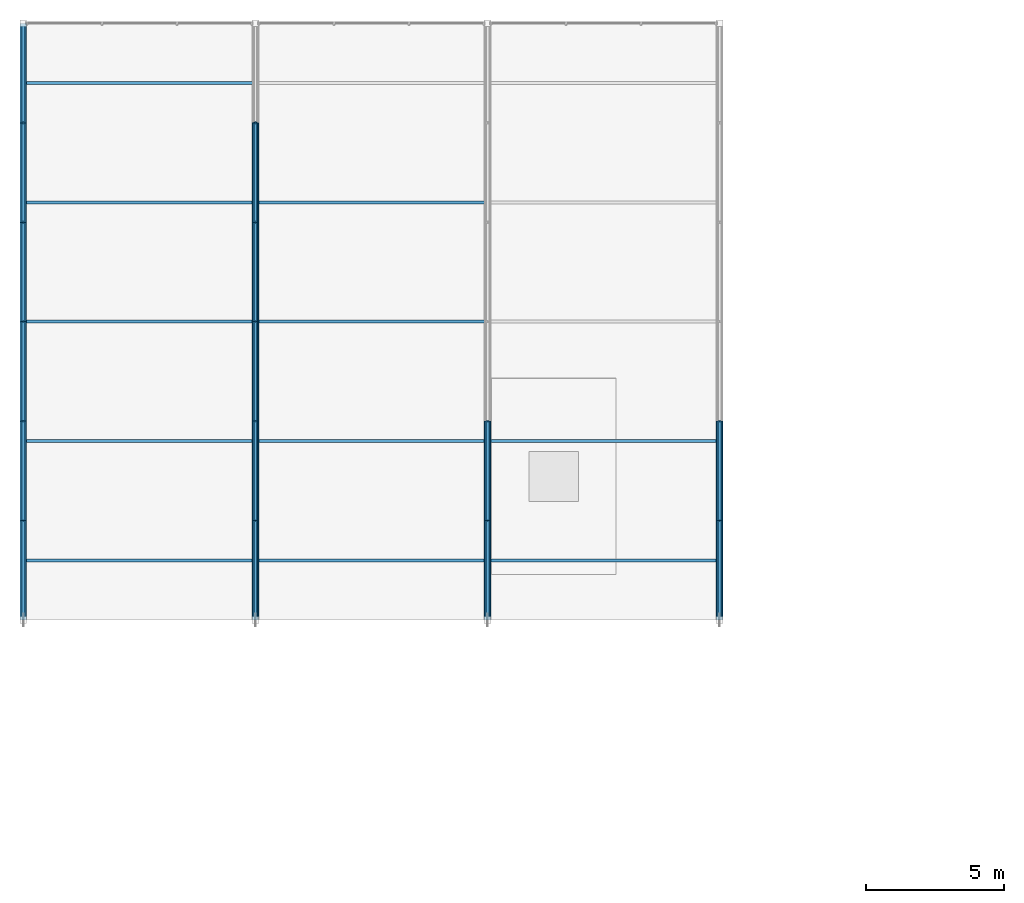
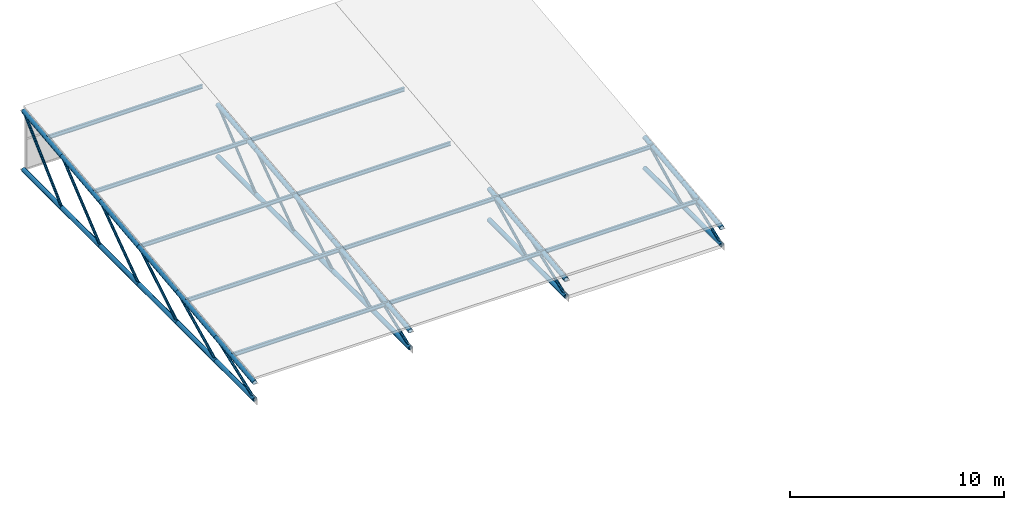
# One storey, part 49 of 77: 45 members, 11 beams.
"""IFC4 building model written with IfcOpenShell, lengths in metres."""

from ifc_helpers import new_model, si_unit, derived_unit, direction, frame, origin, origin_2d, place, context, subcontext, project, spatial, hollow_circle, i_section, extrude, material, material_profile, profile_set, type_object, element, save


model = new_model("IFC4")

# Units and contexts
model_context = context("Model", 3, precision=1e-05, world=origin(), true_north=direction((0.0, 1.0)))
body_context = subcontext(model_context, "Body", "Model", "MODEL_VIEW")
ifc_project = project(units=[si_unit("LENGTHUNIT", "METRE"), si_unit("AREAUNIT", "SQUARE_METRE"), si_unit("VOLUMEUNIT", "CUBIC_METRE"), si_unit("PLANEANGLEUNIT", "RADIAN"), si_unit("MASSUNIT", "GRAM", prefix="KILO"), derived_unit("THERMALTRANSMITTANCEUNIT", [(si_unit("MASSUNIT", "GRAM", prefix="KILO"), 1), (si_unit("TIMEUNIT", "SECOND"), -3), (si_unit("THERMODYNAMICTEMPERATUREUNIT", "KELVIN"), -1)])], contexts=[model_context])

# Site, building, storey
site_placement = place(None, origin())
site = spatial("IfcSite", under=ifc_project, at=site_placement, CompositionType="ELEMENT")
building_placement = place(site_placement, origin())
building = spatial("IfcBuilding", under=site, at=building_placement, Name="Kharveza Railside Sports Centre", CompositionType="ELEMENT")
storey_placement = place(building_placement, frame((0.0, 0.0, 17.10009765625)))
storey = spatial("IfcBuildingStorey", under=building, at=storey_placement, Name="L04", CompositionType="ELEMENT", Elevation=17.10009765625)

# Beams
ifc_material_1 = material(Name="Steel S275JR", Category="steel")
ifc_material_profile_1 = material_profile(ifc_material_1, i_section(OverallWidth=0.110107421875, OverallDepth=0.219970703125, WebThickness=0.005859375, FlangeThickness=0.00927734375, FilletRadius=0.011962890625, at=origin_2d()), Name="IPE 220")
ifc_profile_set_1 = profile_set([ifc_material_profile_1], Name="Steel S275JR")
beam_type = type_object("IfcBeamType", Name="BM-J02", PredefinedType="JOIST", material=ifc_profile_set_1)
for number, where, z_axis, x_axis, name in (
    (1, (0.0, 88.56005859375, 1.21484375), (1.0, 0.0, 0.0), (0.0, 1.0, 0.0), "BM-V3PUR-1-1"),
    (2, (0.0, 92.8798828125, 1.69482421875), (1.0, 0.0, 0.0), (0.0, 1.0, 0.0), "BM-V3PUR-1-2"),
    (3, (0.0, 97.199951171875, 2.1748046875), (1.0, 0.0, 0.0), (0.0, 1.0, 0.0), "BM-V3PUR-1-3"),
    (4, (0.0, 101.52001953125, 2.65478515625), (1.0, 0.0, 0.0), (0.0, 1.0, 0.0), "BM-V3PUR-1-4"),
    (5, (0.0, 105.840087890625, 3.135009765625), (1.0, 0.0, 0.0), (0.0, 1.0, 0.0), "BM-V3PUR-1-5"),
):
    element("IfcBeam", number, at=place(storey_placement, frame(where, z_axis=z_axis, x_axis=x_axis)), inside=storey, type_object=beam_type, Name=name, PredefinedType="JOIST", context=body_context, shape_type="SweptSolid", body=[
        extrude(i_section(OverallWidth=0.110107421875, OverallDepth=0.219970703125, WebThickness=0.005859375, FlangeThickness=0.00927734375, FilletRadius=0.011962890625, at=origin_2d()), origin(), (0.0, 0.0, 1.0), 8.39990234375),
    ])
for number, where, z_axis, x_axis, name in (
    (6, (8.39990234375, 88.56005859375, 1.21484375), (1.0, 0.0, 0.0), (0.0, 1.0, 0.0), "BM-V3PUR-2-1"),
    (7, (8.39990234375, 92.8798828125, 1.69482421875), (1.0, 0.0, 0.0), (0.0, 1.0, 0.0), "BM-V3PUR-2-2"),
    (8, (8.39990234375, 97.199951171875, 2.1748046875), (1.0, 0.0, 0.0), (0.0, 1.0, 0.0), "BM-V3PUR-2-3"),
    (9, (8.39990234375, 101.52001953125, 2.65478515625), (1.0, 0.0, 0.0), (0.0, 1.0, 0.0), "BM-V3PUR-2-4"),
):
    element("IfcBeam", number, at=place(storey_placement, frame(where, z_axis=z_axis, x_axis=x_axis)), inside=storey, type_object=beam_type, Name=name, PredefinedType="JOIST", context=body_context, shape_type="SweptSolid", body=[
        extrude(i_section(OverallWidth=0.110107421875, OverallDepth=0.219970703125, WebThickness=0.005859375, FlangeThickness=0.00927734375, FilletRadius=0.011962890625, at=origin_2d()), origin(), (0.0, 0.0, 1.0), 8.400146484375),
    ])
for number, where, z_axis, x_axis, name in (
    (10, (16.800048828125, 88.56005859375, 1.21484375), (1.0, 0.0, 0.0), (0.0, 1.0, 0.0), "BM-V3PUR-3-1"),
    (11, (16.800048828125, 92.8798828125, 1.69482421875), (1.0, 0.0, 0.0), (0.0, 1.0, 0.0), "BM-V3PUR-3-2"),
):
    element("IfcBeam", number, at=place(storey_placement, frame(where, z_axis=z_axis, x_axis=x_axis)), inside=storey, type_object=beam_type, Name=name, PredefinedType="JOIST", context=body_context, shape_type="SweptSolid", body=[
        extrude(i_section(OverallWidth=0.110107421875, OverallDepth=0.219970703125, WebThickness=0.005859375, FlangeThickness=0.00927734375, FilletRadius=0.011962890625, at=origin_2d()), origin(), (0.0, 0.0, 1.0), 8.39990234375),
    ])

# Members
ifc_material_2 = material(Name="Steel S355J2", Category="steel")
ifc_material_profile_2 = material_profile(ifc_material_2, hollow_circle(Radius=0.122314453125, WallThickness=0.012451171875, at=origin_2d()), Name="CHS 244.5x12.5")
ifc_profile_set_2 = profile_set([ifc_material_profile_2], Name="Steel S355J2")
member_type_1 = type_object("IfcMemberType", Name="MB-CH04", PredefinedType="CHORD", material=ifc_profile_set_2)
member_1_placement = place(storey_placement, frame((0.0, 86.39990234375, 0.0), z_axis=(0.0, 1.0, 0.0), x_axis=(-1.0, 0.0, 0.0)))
element("IfcMember", 12, at=member_1_placement, inside=storey, type_object=member_type_1, Name="MB-V3TR-BC-1-1", PredefinedType="CHORD", context=body_context, shape_type="SweptSolid", body=[
    extrude(hollow_circle(Radius=0.122314453125, WallThickness=0.012451171875, at=origin_2d()), origin(), (0.0, 0.0, 1.0), 3.60009765625),
])
member_2_placement = place(storey_placement, frame((0.0, 86.39990234375, 0.9599609375), z_axis=(0.0, 0.99388702206, 0.110401935585), x_axis=(-1.0, 0.0, 0.0)))
element("IfcMember", 13, at=member_2_placement, inside=storey, type_object=member_type_1, Name="MB-V3TR-TC-1-1", PredefinedType="CHORD", context=body_context, shape_type="SweptSolid", body=[
    extrude(hollow_circle(Radius=0.122314453125, WallThickness=0.012451171875, at=origin_2d()), origin(), (0.0, 0.0, 1.0), 3.622314453125),
])
member_3_placement = place(storey_placement, frame((0.0, 90.0, 0.0), z_axis=(0.0, 1.0, 0.0), x_axis=(-1.0, 0.0, 0.0)))
element("IfcMember", 14, at=member_3_placement, inside=storey, type_object=member_type_1, Name="MB-V3TR-BC-1-2", PredefinedType="CHORD", context=body_context, shape_type="SweptSolid", body=[
    extrude(hollow_circle(Radius=0.122314453125, WallThickness=0.012451171875, at=origin_2d()), origin(), (0.0, 0.0, 1.0), 3.60009765625),
])
member_4_placement = place(storey_placement, frame((0.0, 90.0, 1.35986328125), z_axis=(0.0, 0.993879624232, 0.110468513774), x_axis=(-1.0, 0.0, 0.0)))
element("IfcMember", 15, at=member_4_placement, inside=storey, type_object=member_type_1, Name="MB-V3TR-TC-1-2", PredefinedType="CHORD", context=body_context, shape_type="SweptSolid", body=[
    extrude(hollow_circle(Radius=0.122314453125, WallThickness=0.012451171875, at=origin_2d()), origin(), (0.0, 0.0, 1.0), 3.622314453125),
])
member_5_placement = place(storey_placement, frame((0.0, 93.60009765625, 0.0), z_axis=(0.0, 1.0, 0.0), x_axis=(-1.0, 0.0, 0.0)))
element("IfcMember", 16, at=member_5_placement, inside=storey, type_object=member_type_1, Name="MB-V3TR-BC-1-3", PredefinedType="CHORD", context=body_context, shape_type="SweptSolid", body=[
    extrude(hollow_circle(Radius=0.122314453125, WallThickness=0.012451171875, at=origin_2d()), origin(), (0.0, 0.0, 1.0), 3.599853515625),
])
member_6_placement = place(storey_placement, frame((0.0, 93.60009765625, 1.760009765625), z_axis=(0.0, 0.993886200461, 0.11040933173), x_axis=(-1.0, 0.0, 0.0)))
element("IfcMember", 17, at=member_6_placement, inside=storey, type_object=member_type_1, Name="MB-V3TR-TC-1-3", PredefinedType="CHORD", context=body_context, shape_type="SweptSolid", body=[
    extrude(hollow_circle(Radius=0.122314453125, WallThickness=0.012451171875, at=origin_2d()), origin(), (0.0, 0.0, 1.0), 3.6220703125),
])
member_7_placement = place(storey_placement, frame((0.0, 97.199951171875, 0.0), z_axis=(0.0, 1.0, 0.0), x_axis=(-1.0, 0.0, 0.0)))
element("IfcMember", 18, at=member_7_placement, inside=storey, type_object=member_type_1, Name="MB-V3TR-BC-1-4", PredefinedType="CHORD", context=body_context, shape_type="SweptSolid", body=[
    extrude(hollow_circle(Radius=0.122314453125, WallThickness=0.012451171875, at=origin_2d()), origin(), (0.0, 0.0, 1.0), 3.60009765625),
])
member_8_placement = place(storey_placement, frame((0.0, 97.199951171875, 2.159912109375), z_axis=(0.0, 0.99388702206, 0.110401935585), x_axis=(-1.0, 0.0, 0.0)))
element("IfcMember", 19, at=member_8_placement, inside=storey, type_object=member_type_1, Name="MB-V3TR-TC-1-4", PredefinedType="CHORD", context=body_context, shape_type="SweptSolid", body=[
    extrude(hollow_circle(Radius=0.122314453125, WallThickness=0.012451171875, at=origin_2d()), origin(), (0.0, 0.0, 1.0), 3.622314453125),
])
member_9_placement = place(storey_placement, frame((0.0, 100.800048828125, 0.0), z_axis=(0.0, 1.0, 0.0), x_axis=(-1.0, 0.0, 0.0)))
element("IfcMember", 20, at=member_9_placement, inside=storey, type_object=member_type_1, Name="MB-V3TR-BC-1-5", PredefinedType="CHORD", context=body_context, shape_type="SweptSolid", body=[
    extrude(hollow_circle(Radius=0.122314453125, WallThickness=0.012451171875, at=origin_2d()), origin(), (0.0, 0.0, 1.0), 3.599853515625),
])
member_10_placement = place(storey_placement, frame((0.0, 100.800048828125, 2.559814453125), z_axis=(0.0, 0.993878801649, 0.110475914269), x_axis=(-1.0, 0.0, 0.0)))
element("IfcMember", 21, at=member_10_placement, inside=storey, type_object=member_type_1, Name="MB-V3TR-TC-1-5", PredefinedType="CHORD", context=body_context, shape_type="SweptSolid", body=[
    extrude(hollow_circle(Radius=0.122314453125, WallThickness=0.012451171875, at=origin_2d()), origin(), (0.0, 0.0, 1.0), 3.6220703125),
])
member_11_placement = place(storey_placement, frame((0.0, 104.39990234375, 0.0), z_axis=(0.0, 1.0, 0.0), x_axis=(-1.0, 0.0, 0.0)))
element("IfcMember", 22, at=member_11_placement, inside=storey, type_object=member_type_1, Name="MB-V3TR-BC-1-6", PredefinedType="CHORD", context=body_context, shape_type="SweptSolid", body=[
    extrude(hollow_circle(Radius=0.122314453125, WallThickness=0.012451171875, at=origin_2d()), origin(), (0.0, 0.0, 1.0), 3.60009765625),
])
member_12_placement = place(storey_placement, frame((0.0, 104.39990234375, 2.9599609375), z_axis=(0.0, 0.99388702206, 0.110401935585), x_axis=(-1.0, 0.0, 0.0)))
element("IfcMember", 23, at=member_12_placement, inside=storey, type_object=member_type_1, Name="MB-V3TR-TC-1-6", PredefinedType="CHORD", context=body_context, shape_type="SweptSolid", body=[
    extrude(hollow_circle(Radius=0.122314453125, WallThickness=0.012451171875, at=origin_2d()), origin(), (0.0, 0.0, 1.0), 3.622314453125),
])
member_13_placement = place(storey_placement, frame((8.39990234375, 86.39990234375, 0.0), z_axis=(0.0, 1.0, 0.0), x_axis=(-1.0, 0.0, 0.0)))
element("IfcMember", 24, at=member_13_placement, inside=storey, type_object=member_type_1, Name="MB-V3TR-BC-2-1", PredefinedType="CHORD", context=body_context, shape_type="SweptSolid", body=[
    extrude(hollow_circle(Radius=0.122314453125, WallThickness=0.012451171875, at=origin_2d()), origin(), (0.0, 0.0, 1.0), 3.60009765625),
])
member_14_placement = place(storey_placement, frame((8.39990234375, 86.39990234375, 0.9599609375), z_axis=(0.0, 0.99388702206, 0.110401935585), x_axis=(-1.0, 0.0, 0.0)))
element("IfcMember", 25, at=member_14_placement, inside=storey, type_object=member_type_1, Name="MB-V3TR-TC-2-1", PredefinedType="CHORD", context=body_context, shape_type="SweptSolid", body=[
    extrude(hollow_circle(Radius=0.122314453125, WallThickness=0.012451171875, at=origin_2d()), origin(), (0.0, 0.0, 1.0), 3.622314453125),
])
member_15_placement = place(storey_placement, frame((8.39990234375, 90.0, 0.0), z_axis=(0.0, 1.0, 0.0), x_axis=(-1.0, 0.0, 0.0)))
element("IfcMember", 26, at=member_15_placement, inside=storey, type_object=member_type_1, Name="MB-V3TR-BC-2-2", PredefinedType="CHORD", context=body_context, shape_type="SweptSolid", body=[
    extrude(hollow_circle(Radius=0.122314453125, WallThickness=0.012451171875, at=origin_2d()), origin(), (0.0, 0.0, 1.0), 3.60009765625),
])
member_16_placement = place(storey_placement, frame((8.39990234375, 90.0, 1.35986328125), z_axis=(0.0, 0.993879624232, 0.110468513774), x_axis=(-1.0, 0.0, 0.0)))
element("IfcMember", 27, at=member_16_placement, inside=storey, type_object=member_type_1, Name="MB-V3TR-TC-2-2", PredefinedType="CHORD", context=body_context, shape_type="SweptSolid", body=[
    extrude(hollow_circle(Radius=0.122314453125, WallThickness=0.012451171875, at=origin_2d()), origin(), (0.0, 0.0, 1.0), 3.622314453125),
])
member_17_placement = place(storey_placement, frame((8.39990234375, 93.60009765625, 0.0), z_axis=(0.0, 1.0, 0.0), x_axis=(-1.0, 0.0, 0.0)))
element("IfcMember", 28, at=member_17_placement, inside=storey, type_object=member_type_1, Name="MB-V3TR-BC-2-3", PredefinedType="CHORD", context=body_context, shape_type="SweptSolid", body=[
    extrude(hollow_circle(Radius=0.122314453125, WallThickness=0.012451171875, at=origin_2d()), origin(), (0.0, 0.0, 1.0), 3.599853515625),
])
member_18_placement = place(storey_placement, frame((8.39990234375, 93.60009765625, 1.760009765625), z_axis=(0.0, 0.993886200461, 0.11040933173), x_axis=(-1.0, 0.0, 0.0)))
element("IfcMember", 29, at=member_18_placement, inside=storey, type_object=member_type_1, Name="MB-V3TR-TC-2-3", PredefinedType="CHORD", context=body_context, shape_type="SweptSolid", body=[
    extrude(hollow_circle(Radius=0.122314453125, WallThickness=0.012451171875, at=origin_2d()), origin(), (0.0, 0.0, 1.0), 3.6220703125),
])
member_19_placement = place(storey_placement, frame((8.39990234375, 97.199951171875, 0.0), z_axis=(0.0, 1.0, 0.0), x_axis=(-1.0, 0.0, 0.0)))
element("IfcMember", 30, at=member_19_placement, inside=storey, type_object=member_type_1, Name="MB-V3TR-BC-2-4", PredefinedType="CHORD", context=body_context, shape_type="SweptSolid", body=[
    extrude(hollow_circle(Radius=0.122314453125, WallThickness=0.012451171875, at=origin_2d()), origin(), (0.0, 0.0, 1.0), 3.60009765625),
])
member_20_placement = place(storey_placement, frame((8.39990234375, 97.199951171875, 2.159912109375), z_axis=(0.0, 0.99388702206, 0.110401935585), x_axis=(-1.0, 0.0, 0.0)))
element("IfcMember", 31, at=member_20_placement, inside=storey, type_object=member_type_1, Name="MB-V3TR-TC-2-4", PredefinedType="CHORD", context=body_context, shape_type="SweptSolid", body=[
    extrude(hollow_circle(Radius=0.122314453125, WallThickness=0.012451171875, at=origin_2d()), origin(), (0.0, 0.0, 1.0), 3.622314453125),
])
member_21_placement = place(storey_placement, frame((8.39990234375, 100.800048828125, 0.0), z_axis=(0.0, 1.0, 0.0), x_axis=(-1.0, 0.0, 0.0)))
element("IfcMember", 32, at=member_21_placement, inside=storey, type_object=member_type_1, Name="MB-V3TR-BC-2-5", PredefinedType="CHORD", context=body_context, shape_type="SweptSolid", body=[
    extrude(hollow_circle(Radius=0.122314453125, WallThickness=0.012451171875, at=origin_2d()), origin(), (0.0, 0.0, 1.0), 3.599853515625),
])
member_22_placement = place(storey_placement, frame((8.39990234375, 100.800048828125, 2.559814453125), z_axis=(0.0, 0.993878801649, 0.110475914269), x_axis=(-1.0, 0.0, 0.0)))
element("IfcMember", 33, at=member_22_placement, inside=storey, type_object=member_type_1, Name="MB-V3TR-TC-2-5", PredefinedType="CHORD", context=body_context, shape_type="SweptSolid", body=[
    extrude(hollow_circle(Radius=0.122314453125, WallThickness=0.012451171875, at=origin_2d()), origin(), (0.0, 0.0, 1.0), 3.6220703125),
])
member_23_placement = place(storey_placement, frame((16.800048828125, 86.39990234375, 0.0), z_axis=(0.0, 1.0, 0.0), x_axis=(-1.0, 0.0, 0.0)))
element("IfcMember", 34, at=member_23_placement, inside=storey, type_object=member_type_1, Name="MB-V3TR-BC-3-1", PredefinedType="CHORD", context=body_context, shape_type="SweptSolid", body=[
    extrude(hollow_circle(Radius=0.122314453125, WallThickness=0.012451171875, at=origin_2d()), origin(), (0.0, 0.0, 1.0), 3.60009765625),
])
member_24_placement = place(storey_placement, frame((16.800048828125, 86.39990234375, 0.9599609375), z_axis=(0.0, 0.99388702206, 0.110401935585), x_axis=(-1.0, 0.0, 0.0)))
element("IfcMember", 35, at=member_24_placement, inside=storey, type_object=member_type_1, Name="MB-V3TR-TC-3-1", PredefinedType="CHORD", context=body_context, shape_type="SweptSolid", body=[
    extrude(hollow_circle(Radius=0.122314453125, WallThickness=0.012451171875, at=origin_2d()), origin(), (0.0, 0.0, 1.0), 3.622314453125),
])
member_25_placement = place(storey_placement, frame((16.800048828125, 90.0, 0.0), z_axis=(0.0, 1.0, 0.0), x_axis=(-1.0, 0.0, 0.0)))
element("IfcMember", 36, at=member_25_placement, inside=storey, type_object=member_type_1, Name="MB-V3TR-BC-3-2", PredefinedType="CHORD", context=body_context, shape_type="SweptSolid", body=[
    extrude(hollow_circle(Radius=0.122314453125, WallThickness=0.012451171875, at=origin_2d()), origin(), (0.0, 0.0, 1.0), 3.60009765625),
])
member_26_placement = place(storey_placement, frame((16.800048828125, 90.0, 1.35986328125), z_axis=(0.0, 0.993879624232, 0.110468513774), x_axis=(-1.0, 0.0, 0.0)))
element("IfcMember", 37, at=member_26_placement, inside=storey, type_object=member_type_1, Name="MB-V3TR-TC-3-2", PredefinedType="CHORD", context=body_context, shape_type="SweptSolid", body=[
    extrude(hollow_circle(Radius=0.122314453125, WallThickness=0.012451171875, at=origin_2d()), origin(), (0.0, 0.0, 1.0), 3.622314453125),
])
member_27_placement = place(storey_placement, frame((25.199951171875, 86.39990234375, 0.0), z_axis=(0.0, 1.0, 0.0), x_axis=(-1.0, 0.0, 0.0)))
element("IfcMember", 38, at=member_27_placement, inside=storey, type_object=member_type_1, Name="MB-V3TR-BC-4-1", PredefinedType="CHORD", context=body_context, shape_type="SweptSolid", body=[
    extrude(hollow_circle(Radius=0.122314453125, WallThickness=0.012451171875, at=origin_2d()), origin(), (0.0, 0.0, 1.0), 3.60009765625),
])
member_28_placement = place(storey_placement, frame((25.199951171875, 86.39990234375, 0.9599609375), z_axis=(0.0, 0.99388702206, 0.110401935585), x_axis=(-1.0, 0.0, 0.0)))
element("IfcMember", 39, at=member_28_placement, inside=storey, type_object=member_type_1, Name="MB-V3TR-TC-4-1", PredefinedType="CHORD", context=body_context, shape_type="SweptSolid", body=[
    extrude(hollow_circle(Radius=0.122314453125, WallThickness=0.012451171875, at=origin_2d()), origin(), (0.0, 0.0, 1.0), 3.622314453125),
])
member_29_placement = place(storey_placement, frame((25.199951171875, 90.0, 0.0), z_axis=(0.0, 1.0, 0.0), x_axis=(-1.0, 0.0, 0.0)))
element("IfcMember", 40, at=member_29_placement, inside=storey, type_object=member_type_1, Name="MB-V3TR-BC-4-2", PredefinedType="CHORD", context=body_context, shape_type="SweptSolid", body=[
    extrude(hollow_circle(Radius=0.122314453125, WallThickness=0.012451171875, at=origin_2d()), origin(), (0.0, 0.0, 1.0), 3.60009765625),
])
member_30_placement = place(storey_placement, frame((25.199951171875, 90.0, 1.35986328125), z_axis=(0.0, 0.993879624232, 0.110468513774), x_axis=(-1.0, 0.0, 0.0)))
element("IfcMember", 41, at=member_30_placement, inside=storey, type_object=member_type_1, Name="MB-V3TR-TC-4-2", PredefinedType="CHORD", context=body_context, shape_type="SweptSolid", body=[
    extrude(hollow_circle(Radius=0.122314453125, WallThickness=0.012451171875, at=origin_2d()), origin(), (0.0, 0.0, 1.0), 3.622314453125),
])
ifc_material_profile_3 = material_profile(ifc_material_2, hollow_circle(Radius=0.06982421875, WallThickness=0.008056640625, at=origin_2d()), Name="CHS 139.7x8.0")
ifc_profile_set_3 = profile_set([ifc_material_profile_3], Name="Steel S355J2")
member_type_2 = type_object("IfcMemberType", Name="MB-ST04", PredefinedType="STRUT", material=ifc_profile_set_3)
member_31_placement = place(storey_placement, frame((0.0, 86.39990234375, 0.0), z_axis=(0.0, 0.935487007003, 0.35336108972), x_axis=(-1.0, 0.0, 0.0)))
element("IfcMember", 42, at=member_31_placement, inside=storey, type_object=member_type_2, Name="MB-V3TR-DG-1-1", PredefinedType="STRUT", context=body_context, shape_type="SweptSolid", body=[
    extrude(hollow_circle(Radius=0.06982421875, WallThickness=0.008056640625, at=origin_2d()), origin(), (0.0, 0.0, 1.0), 3.848388671875),
])
member_32_placement = place(storey_placement, frame((0.0, 90.0, 0.0), z_axis=(0.0, 0.898388100355, 0.439202483077), x_axis=(-1.0, 0.0, 0.0)))
element("IfcMember", 43, at=member_32_placement, inside=storey, type_object=member_type_2, Name="MB-V3TR-DG-1-2", PredefinedType="STRUT", context=body_context, shape_type="SweptSolid", body=[
    extrude(hollow_circle(Radius=0.06982421875, WallThickness=0.008056640625, at=origin_2d()), origin(), (0.0, 0.0, 1.0), 4.00732421875),
])
member_33_placement = place(storey_placement, frame((0.0, 93.60009765625, 0.0), z_axis=(0.0, 0.857492925713, 0.514495755428), x_axis=(-1.0, 0.0, 0.0)))
element("IfcMember", 44, at=member_33_placement, inside=storey, type_object=member_type_2, Name="MB-V3TR-DG-1-3", PredefinedType="STRUT", context=body_context, shape_type="SweptSolid", body=[
    extrude(hollow_circle(Radius=0.06982421875, WallThickness=0.008056640625, at=origin_2d()), origin(), (0.0, 0.0, 1.0), 4.197998046875),
])
member_34_placement = place(storey_placement, frame((0.0, 97.199951171875, 0.0), z_axis=(0.0, 0.814982586094, 0.579485447931), x_axis=(-1.0, 0.0, 0.0)))
element("IfcMember", 45, at=member_34_placement, inside=storey, type_object=member_type_2, Name="MB-V3TR-DG-1-4", PredefinedType="STRUT", context=body_context, shape_type="SweptSolid", body=[
    extrude(hollow_circle(Radius=0.06982421875, WallThickness=0.008056640625, at=origin_2d()), origin(), (0.0, 0.0, 1.0), 4.41748046875),
])
member_35_placement = place(storey_placement, frame((0.0, 100.800048828125, 0.0), z_axis=(0.0, 0.772416919722, 0.635115817885), x_axis=(-1.0, 0.0, 0.0)))
element("IfcMember", 46, at=member_35_placement, inside=storey, type_object=member_type_2, Name="MB-V3TR-DG-1-5", PredefinedType="STRUT", context=body_context, shape_type="SweptSolid", body=[
    extrude(hollow_circle(Radius=0.06982421875, WallThickness=0.008056640625, at=origin_2d()), origin(), (0.0, 0.0, 1.0), 4.660400390625),
])
member_36_placement = place(storey_placement, frame((0.0, 104.39990234375, 0.0), z_axis=(0.0, 0.731078349305, 0.682293519812), x_axis=(-1.0, 0.0, 0.0)))
element("IfcMember", 47, at=member_36_placement, inside=storey, type_object=member_type_2, Name="MB-V3TR-DG-1-6", PredefinedType="STRUT", context=body_context, shape_type="SweptSolid", body=[
    extrude(hollow_circle(Radius=0.06982421875, WallThickness=0.008056640625, at=origin_2d()), origin(), (0.0, 0.0, 1.0), 4.92431640625),
])
member_37_placement = place(storey_placement, frame((8.39990234375, 86.39990234375, 0.0), z_axis=(0.0, 0.935487007003, 0.35336108972), x_axis=(-1.0, 0.0, 0.0)))
element("IfcMember", 48, at=member_37_placement, inside=storey, type_object=member_type_2, Name="MB-V3TR-DG-2-1", PredefinedType="STRUT", context=body_context, shape_type="SweptSolid", body=[
    extrude(hollow_circle(Radius=0.06982421875, WallThickness=0.008056640625, at=origin_2d()), origin(), (0.0, 0.0, 1.0), 3.848388671875),
])
member_38_placement = place(storey_placement, frame((8.39990234375, 90.0, 0.0), z_axis=(0.0, 0.898388100355, 0.439202483077), x_axis=(-1.0, 0.0, 0.0)))
element("IfcMember", 49, at=member_38_placement, inside=storey, type_object=member_type_2, Name="MB-V3TR-DG-2-2", PredefinedType="STRUT", context=body_context, shape_type="SweptSolid", body=[
    extrude(hollow_circle(Radius=0.06982421875, WallThickness=0.008056640625, at=origin_2d()), origin(), (0.0, 0.0, 1.0), 4.00732421875),
])
member_39_placement = place(storey_placement, frame((8.39990234375, 93.60009765625, 0.0), z_axis=(0.0, 0.857492925713, 0.514495755428), x_axis=(-1.0, 0.0, 0.0)))
element("IfcMember", 50, at=member_39_placement, inside=storey, type_object=member_type_2, Name="MB-V3TR-DG-2-3", PredefinedType="STRUT", context=body_context, shape_type="SweptSolid", body=[
    extrude(hollow_circle(Radius=0.06982421875, WallThickness=0.008056640625, at=origin_2d()), origin(), (0.0, 0.0, 1.0), 4.197998046875),
])
member_40_placement = place(storey_placement, frame((8.39990234375, 97.199951171875, 0.0), z_axis=(0.0, 0.814982586094, 0.579485447931), x_axis=(-1.0, 0.0, 0.0)))
element("IfcMember", 51, at=member_40_placement, inside=storey, type_object=member_type_2, Name="MB-V3TR-DG-2-4", PredefinedType="STRUT", context=body_context, shape_type="SweptSolid", body=[
    extrude(hollow_circle(Radius=0.06982421875, WallThickness=0.008056640625, at=origin_2d()), origin(), (0.0, 0.0, 1.0), 4.41748046875),
])
member_41_placement = place(storey_placement, frame((8.39990234375, 100.800048828125, 0.0), z_axis=(0.0, 0.772416919722, 0.635115817885), x_axis=(-1.0, 0.0, 0.0)))
element("IfcMember", 52, at=member_41_placement, inside=storey, type_object=member_type_2, Name="MB-V3TR-DG-2-5", PredefinedType="STRUT", context=body_context, shape_type="SweptSolid", body=[
    extrude(hollow_circle(Radius=0.06982421875, WallThickness=0.008056640625, at=origin_2d()), origin(), (0.0, 0.0, 1.0), 4.660400390625),
])
member_42_placement = place(storey_placement, frame((16.800048828125, 86.39990234375, 0.0), z_axis=(0.0, 0.935487007003, 0.35336108972), x_axis=(-1.0, 0.0, 0.0)))
element("IfcMember", 53, at=member_42_placement, inside=storey, type_object=member_type_2, Name="MB-V3TR-DG-3-1", PredefinedType="STRUT", context=body_context, shape_type="SweptSolid", body=[
    extrude(hollow_circle(Radius=0.06982421875, WallThickness=0.008056640625, at=origin_2d()), origin(), (0.0, 0.0, 1.0), 3.848388671875),
])
member_43_placement = place(storey_placement, frame((16.800048828125, 90.0, 0.0), z_axis=(0.0, 0.898388100355, 0.439202483077), x_axis=(-1.0, 0.0, 0.0)))
element("IfcMember", 54, at=member_43_placement, inside=storey, type_object=member_type_2, Name="MB-V3TR-DG-3-2", PredefinedType="STRUT", context=body_context, shape_type="SweptSolid", body=[
    extrude(hollow_circle(Radius=0.06982421875, WallThickness=0.008056640625, at=origin_2d()), origin(), (0.0, 0.0, 1.0), 4.00732421875),
])
member_44_placement = place(storey_placement, frame((25.199951171875, 86.39990234375, 0.0), z_axis=(0.0, 0.935487007003, 0.35336108972), x_axis=(-1.0, 0.0, 0.0)))
element("IfcMember", 55, at=member_44_placement, inside=storey, type_object=member_type_2, Name="MB-V3TR-DG-4-1", PredefinedType="STRUT", context=body_context, shape_type="SweptSolid", body=[
    extrude(hollow_circle(Radius=0.06982421875, WallThickness=0.008056640625, at=origin_2d()), origin(), (0.0, 0.0, 1.0), 3.848388671875),
])
member_45_placement = place(storey_placement, frame((25.199951171875, 90.0, 0.0), z_axis=(0.0, 0.898388100355, 0.439202483077), x_axis=(-1.0, 0.0, 0.0)))
element("IfcMember", 56, at=member_45_placement, inside=storey, type_object=member_type_2, Name="MB-V3TR-DG-4-2", PredefinedType="STRUT", context=body_context, shape_type="SweptSolid", body=[
    extrude(hollow_circle(Radius=0.06982421875, WallThickness=0.008056640625, at=origin_2d()), origin(), (0.0, 0.0, 1.0), 4.00732421875),
])

save(model, "model.ifc")
